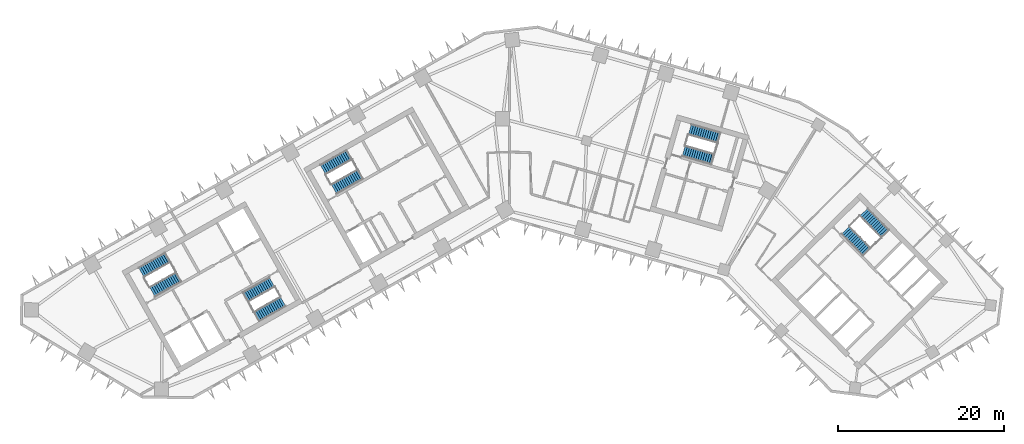
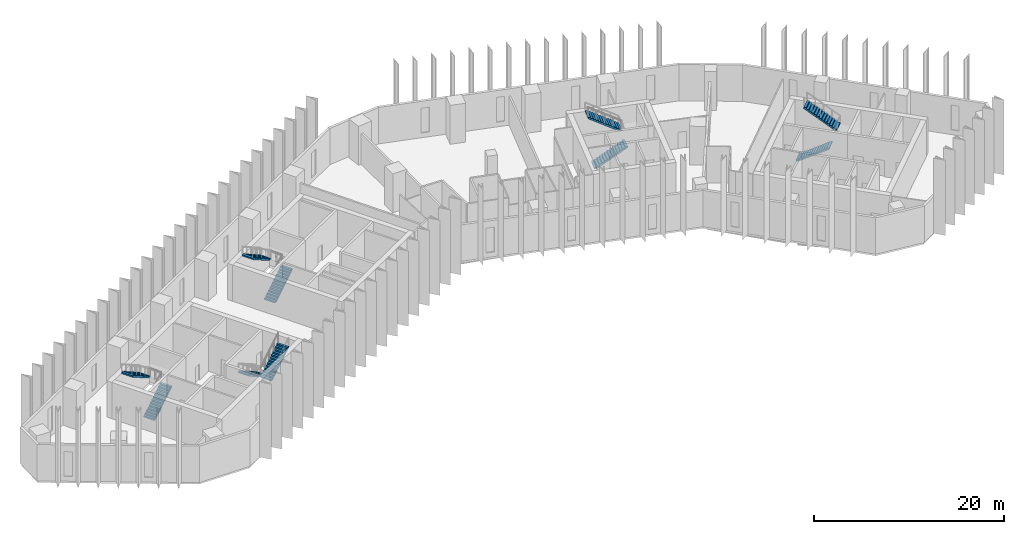
# One storey, part 8 of 11: 10 stair flights, 5 elements without a shape of their own.
"""IFC4 building model written with IfcOpenShell, lengths in metres."""

from ifc_helpers import new_model, si_unit, direction, frame, origin, place, context, subcontext, project, spatial, polyline, outline, extrude, material, type_object, element, aggregate, save


model = new_model("IFC4")

# Units and contexts
model_context = context("Model", 3, precision=1e-05, world=origin(), true_north=direction((0.0, 1.0)))
body_context = subcontext(model_context, "Body", "Model", "MODEL_VIEW")
ifc_project = project(units=[si_unit("LENGTHUNIT", "METRE"), si_unit("AREAUNIT", "SQUARE_METRE"), si_unit("VOLUMEUNIT", "CUBIC_METRE"), si_unit("PLANEANGLEUNIT", "RADIAN"), si_unit("MASSUNIT", "GRAM", prefix="KILO")], contexts=[model_context])

# Site, building, storey
site_placement = place(None, origin())
site = spatial("IfcSite", under=ifc_project, at=site_placement, CompositionType="ELEMENT")
building_placement = place(site_placement, origin())
building = spatial("IfcBuilding", under=site, at=building_placement, Name="Binnacle Exchange Tower", CompositionType="ELEMENT")
storey_placement = place(building_placement, frame((0.0, 0.0, 66.5)))
storey = spatial("IfcBuildingStorey", under=building, at=storey_placement, Name="L13", CompositionType="ELEMENT", Elevation=66.5)

# Stair, stair flights
ifc_material = material(Name="Concrete C35/45", Category="concrete")
stair_type = type_object("IfcStairType", Name="STAIR 28 RISERS 179", PredefinedType="HALF_TURN_STAIR", material=ifc_material)
stair_1_placement = place(storey_placement, origin())
stair_1 = element("IfcStair", 1, at=stair_1_placement, inside=storey, type_object=stair_type, Name="L13 Escape stair A1", PredefinedType="HALF_TURN_STAIR")
stair_flight_type = type_object("IfcStairFlightType", Name="STAIR FLIGHT 179X280", PredefinedType="STRAIGHT", material=ifc_material)
stair_flight_1_placement = place(storey_placement, frame((-42.9541015625, 39.17333984375, 0.0), z_axis=(0.0, 0.0, 1.0), x_axis=(0.870355584213, 0.492423757581, 0.0)))
stair_flight_1 = element("IfcStairFlight", 2, at=stair_flight_1_placement, type_object=stair_flight_type, Name="STA1 flight 1", NumberOfRisers=14, NumberOfTreads=13, PredefinedType="STRAIGHT", RiserHeight=0.178571429, TreadLength=0.28, context=body_context, shape_type="SweptSolid", body=[
    extrude(outline(polyline([(0.0, 0.0), (0.0, 0.178466796875), (0.280029296875, 0.178466796875), (0.280029296875, 0.357177734375), (0.56005859375, 0.357177734375), (0.56005859375, 0.53564453125), (0.840087890625, 0.53564453125), (0.840087890625, 0.71435546875), (1.1201171875, 0.71435546875), (1.1201171875, 0.892822265625), (1.39990234375, 0.892822265625), (1.39990234375, 1.071533203125), (1.679931640625, 1.071533203125), (1.679931640625, 1.25), (1.9599609375, 1.25), (1.9599609375, 1.428466796875), (2.239990234375, 1.428466796875), (2.239990234375, 1.607177734375), (2.52001953125, 1.607177734375), (2.52001953125, 1.78564453125), (2.800048828125, 1.78564453125), (2.800048828125, 1.96435546875), (3.080078125, 1.96435546875), (3.080078125, 2.142822265625), (3.360107421875, 2.142822265625), (3.360107421875, 2.321533203125), (3.639892578125, 2.321533203125), (3.639892578125, 2.5), (3.639892578125, 2.1435546875), (0.27880859375, 0.0), (0.0, 0.0)])), frame((0.0, 0.675048828125, 0.0), z_axis=(0.0, -1.0, 0.0), x_axis=(1.0, 0.0, 0.0)), (0.0, 0.0, 1.0), 1.35009765625),
])
stair_flight_2_placement = place(storey_placement, frame((-41.115478515625, 43.315673828125, 2.5), z_axis=(0.0, 0.0, 1.0), x_axis=(-0.870355584213, -0.492423757581, 0.0)))
stair_flight_2 = element("IfcStairFlight", 3, at=stair_flight_2_placement, type_object=stair_flight_type, Name="STA1 flight 2", NumberOfRisers=14, NumberOfTreads=13, PredefinedType="STRAIGHT", RiserHeight=0.178571429, TreadLength=0.28, context=body_context, shape_type="SweptSolid", body=[
    extrude(outline(polyline([(0.0, 0.0), (0.0, 0.178466796875), (0.280029296875, 0.178466796875), (0.280029296875, 0.357177734375), (0.56005859375, 0.357177734375), (0.56005859375, 0.53564453125), (0.840087890625, 0.53564453125), (0.840087890625, 0.71435546875), (1.1201171875, 0.71435546875), (1.1201171875, 0.892822265625), (1.39990234375, 0.892822265625), (1.39990234375, 1.071533203125), (1.679931640625, 1.071533203125), (1.679931640625, 1.25), (1.9599609375, 1.25), (1.9599609375, 1.428466796875), (2.239990234375, 1.428466796875), (2.239990234375, 1.607177734375), (2.52001953125, 1.607177734375), (2.52001953125, 1.78564453125), (2.800048828125, 1.78564453125), (2.800048828125, 1.96435546875), (3.080078125, 1.96435546875), (3.080078125, 2.142822265625), (3.360107421875, 2.142822265625), (3.360107421875, 2.321533203125), (3.639892578125, 2.321533203125), (3.639892578125, 2.5), (3.639892578125, 2.1435546875), (0.27880859375, 0.0), (0.0, 0.0)])), frame((0.0, 0.675048828125, 0.0), z_axis=(0.0, -1.0, 0.0), x_axis=(1.0, 0.0, 0.0)), (0.0, 0.0, 1.0), 1.35009765625),
])
aggregate(stair_1, [stair_flight_1, stair_flight_2])

stair_2_placement = place(storey_placement, origin())
stair_2 = element("IfcStair", 4, at=stair_2_placement, inside=storey, type_object=stair_type, Name="L13 Escape stair A2", PredefinedType="HALF_TURN_STAIR")
stair_flight_3_placement = place(storey_placement, frame((-28.5732421875, 40.3583984375, 0.0), z_axis=(0.0, 0.0, 1.0), x_axis=(-0.870355584213, -0.492423757581, 0.0)))
stair_flight_3 = element("IfcStairFlight", 5, at=stair_flight_3_placement, type_object=stair_flight_type, Name="STA2 flight 1", NumberOfRisers=14, NumberOfTreads=13, PredefinedType="STRAIGHT", RiserHeight=0.178571429, TreadLength=0.28, context=body_context, shape_type="SweptSolid", body=[
    extrude(outline(polyline([(0.0, 0.0), (0.0, 0.178466796875), (0.280029296875, 0.178466796875), (0.280029296875, 0.357177734375), (0.56005859375, 0.357177734375), (0.56005859375, 0.53564453125), (0.840087890625, 0.53564453125), (0.840087890625, 0.71435546875), (1.1201171875, 0.71435546875), (1.1201171875, 0.892822265625), (1.39990234375, 0.892822265625), (1.39990234375, 1.071533203125), (1.679931640625, 1.071533203125), (1.679931640625, 1.25), (1.9599609375, 1.25), (1.9599609375, 1.428466796875), (2.239990234375, 1.428466796875), (2.239990234375, 1.607177734375), (2.52001953125, 1.607177734375), (2.52001953125, 1.78564453125), (2.800048828125, 1.78564453125), (2.800048828125, 1.96435546875), (3.080078125, 1.96435546875), (3.080078125, 2.142822265625), (3.360107421875, 2.142822265625), (3.360107421875, 2.321533203125), (3.639892578125, 2.321533203125), (3.639892578125, 2.5), (3.639892578125, 2.1435546875), (0.27880859375, 0.0), (0.0, 0.0)])), frame((0.0, 0.675048828125, 0.0), z_axis=(0.0, -1.0, 0.0), x_axis=(1.0, 0.0, 0.0)), (0.0, 0.0, 1.0), 1.35009765625),
])
stair_flight_4_placement = place(storey_placement, frame((-30.411865234375, 36.216064453125, 2.5), z_axis=(0.0, 0.0, 1.0), x_axis=(0.870355584213, 0.492423757581, 0.0)))
stair_flight_4 = element("IfcStairFlight", 6, at=stair_flight_4_placement, type_object=stair_flight_type, Name="STA2 flight 2", NumberOfRisers=14, NumberOfTreads=13, PredefinedType="STRAIGHT", RiserHeight=0.178571429, TreadLength=0.28, context=body_context, shape_type="SweptSolid", body=[
    extrude(outline(polyline([(0.0, 0.0), (0.0, 0.178466796875), (0.280029296875, 0.178466796875), (0.280029296875, 0.357177734375), (0.56005859375, 0.357177734375), (0.56005859375, 0.53564453125), (0.840087890625, 0.53564453125), (0.840087890625, 0.71435546875), (1.1201171875, 0.71435546875), (1.1201171875, 0.892822265625), (1.39990234375, 0.892822265625), (1.39990234375, 1.071533203125), (1.679931640625, 1.071533203125), (1.679931640625, 1.25), (1.9599609375, 1.25), (1.9599609375, 1.428466796875), (2.239990234375, 1.428466796875), (2.239990234375, 1.607177734375), (2.52001953125, 1.607177734375), (2.52001953125, 1.78564453125), (2.800048828125, 1.78564453125), (2.800048828125, 1.96435546875), (3.080078125, 1.96435546875), (3.080078125, 2.142822265625), (3.360107421875, 2.142822265625), (3.360107421875, 2.321533203125), (3.639892578125, 2.321533203125), (3.639892578125, 2.5), (3.639892578125, 2.1435546875), (0.27880859375, 0.0), (0.0, 0.0)])), frame((0.0, 0.675048828125, 0.0), z_axis=(0.0, -1.0, 0.0), x_axis=(1.0, 0.0, 0.0)), (0.0, 0.0, 1.0), 1.35009765625),
])
aggregate(stair_2, [stair_flight_3, stair_flight_4])

stair_3_placement = place(storey_placement, origin())
stair_3 = element("IfcStair", 7, at=stair_3_placement, inside=storey, type_object=stair_type, Name="L13 Escape stair B1", PredefinedType="HALF_TURN_STAIR")
stair_flight_5_placement = place(storey_placement, frame((40.376708984375, 46.608642578125, 0.0), z_axis=(0.0, 0.0, 1.0), x_axis=(0.70090935144, -0.713250363522, 0.0)))
stair_flight_5 = element("IfcStairFlight", 8, at=stair_flight_5_placement, type_object=stair_flight_type, Name="STB1 flight 1", NumberOfRisers=14, NumberOfTreads=13, PredefinedType="STRAIGHT", RiserHeight=0.178571429, TreadLength=0.28, context=body_context, shape_type="SweptSolid", body=[
    extrude(outline(polyline([(0.0, 0.0), (0.0, 0.178466796875), (0.280029296875, 0.178466796875), (0.280029296875, 0.357177734375), (0.56005859375, 0.357177734375), (0.56005859375, 0.53564453125), (0.840087890625, 0.53564453125), (0.840087890625, 0.71435546875), (1.1201171875, 0.71435546875), (1.1201171875, 0.892822265625), (1.39990234375, 0.892822265625), (1.39990234375, 1.071533203125), (1.679931640625, 1.071533203125), (1.679931640625, 1.25), (1.9599609375, 1.25), (1.9599609375, 1.428466796875), (2.239990234375, 1.428466796875), (2.239990234375, 1.607177734375), (2.52001953125, 1.607177734375), (2.52001953125, 1.78564453125), (2.800048828125, 1.78564453125), (2.800048828125, 1.96435546875), (3.080078125, 1.96435546875), (3.080078125, 2.142822265625), (3.360107421875, 2.142822265625), (3.360107421875, 2.321533203125), (3.639892578125, 2.321533203125), (3.639892578125, 2.5), (3.639892578125, 2.1435546875), (0.27880859375, 0.0), (0.0, 0.0)])), frame((0.0, 0.675048828125, 0.0), z_axis=(0.0, -1.0, 0.0), x_axis=(1.0, 0.0, 0.0)), (0.0, 0.0, 1.0), 1.35009765625),
])
stair_flight_6_placement = place(storey_placement, frame((45.13916015625, 46.185302734375, 2.5), z_axis=(0.0, 0.0, 1.0), x_axis=(-0.70090935144, 0.713250363522, 0.0)))
stair_flight_6 = element("IfcStairFlight", 9, at=stair_flight_6_placement, type_object=stair_flight_type, Name="STB1 flight 2", NumberOfRisers=14, NumberOfTreads=13, PredefinedType="STRAIGHT", RiserHeight=0.178571429, TreadLength=0.28, context=body_context, shape_type="SweptSolid", body=[
    extrude(outline(polyline([(0.0, 0.0), (0.0, 0.178466796875), (0.280029296875, 0.178466796875), (0.280029296875, 0.357177734375), (0.56005859375, 0.357177734375), (0.56005859375, 0.53564453125), (0.840087890625, 0.53564453125), (0.840087890625, 0.71435546875), (1.1201171875, 0.71435546875), (1.1201171875, 0.892822265625), (1.39990234375, 0.892822265625), (1.39990234375, 1.071533203125), (1.679931640625, 1.071533203125), (1.679931640625, 1.25), (1.9599609375, 1.25), (1.9599609375, 1.428466796875), (2.239990234375, 1.428466796875), (2.239990234375, 1.607177734375), (2.52001953125, 1.607177734375), (2.52001953125, 1.78564453125), (2.800048828125, 1.78564453125), (2.800048828125, 1.96435546875), (3.080078125, 1.96435546875), (3.080078125, 2.142822265625), (3.360107421875, 2.142822265625), (3.360107421875, 2.321533203125), (3.639892578125, 2.321533203125), (3.639892578125, 2.5), (3.639892578125, 2.1435546875), (0.27880859375, 0.0), (0.0, 0.0)])), frame((0.0, 0.675048828125, 0.0), z_axis=(0.0, -1.0, 0.0), x_axis=(1.0, 0.0, 0.0)), (0.0, 0.0, 1.0), 1.35009765625),
])
aggregate(stair_3, [stair_flight_5, stair_flight_6])

stair_4_placement = place(storey_placement, origin())
stair_4 = element("IfcStair", 10, at=stair_4_placement, inside=storey, type_object=stair_type, Name="L13 Escape stair C1", PredefinedType="HALF_TURN_STAIR")
stair_flight_7_placement = place(storey_placement, frame((-21.115966796875, 51.528564453125, 0.0), z_axis=(0.0, 0.0, 1.0), x_axis=(0.870355584213, 0.492423757581, 0.0)))
stair_flight_7 = element("IfcStairFlight", 11, at=stair_flight_7_placement, type_object=stair_flight_type, Name="STC1 flight 1", NumberOfRisers=14, NumberOfTreads=13, PredefinedType="STRAIGHT", RiserHeight=0.178571429, TreadLength=0.28, context=body_context, shape_type="SweptSolid", body=[
    extrude(outline(polyline([(0.0, 0.0), (0.0, 0.178466796875), (0.280029296875, 0.178466796875), (0.280029296875, 0.357177734375), (0.56005859375, 0.357177734375), (0.56005859375, 0.53564453125), (0.840087890625, 0.53564453125), (0.840087890625, 0.71435546875), (1.1201171875, 0.71435546875), (1.1201171875, 0.892822265625), (1.39990234375, 0.892822265625), (1.39990234375, 1.071533203125), (1.679931640625, 1.071533203125), (1.679931640625, 1.25), (1.9599609375, 1.25), (1.9599609375, 1.428466796875), (2.239990234375, 1.428466796875), (2.239990234375, 1.607177734375), (2.52001953125, 1.607177734375), (2.52001953125, 1.78564453125), (2.800048828125, 1.78564453125), (2.800048828125, 1.96435546875), (3.080078125, 1.96435546875), (3.080078125, 2.142822265625), (3.360107421875, 2.142822265625), (3.360107421875, 2.321533203125), (3.639892578125, 2.321533203125), (3.639892578125, 2.5), (3.639892578125, 2.1435546875), (0.27880859375, 0.0), (0.0, 0.0)])), frame((0.0, 0.675048828125, 0.0), z_axis=(0.0, -1.0, 0.0), x_axis=(1.0, 0.0, 0.0)), (0.0, 0.0, 1.0), 1.35009765625),
])
stair_flight_8_placement = place(storey_placement, frame((-19.27734375, 55.671142578125, 2.5), z_axis=(0.0, 0.0, 1.0), x_axis=(-0.870355584213, -0.492423757581, 0.0)))
stair_flight_8 = element("IfcStairFlight", 12, at=stair_flight_8_placement, type_object=stair_flight_type, Name="STC1 flight 2", NumberOfRisers=14, NumberOfTreads=13, PredefinedType="STRAIGHT", RiserHeight=0.178571429, TreadLength=0.28, context=body_context, shape_type="SweptSolid", body=[
    extrude(outline(polyline([(0.0, 0.0), (0.0, 0.178466796875), (0.280029296875, 0.178466796875), (0.280029296875, 0.357177734375), (0.56005859375, 0.357177734375), (0.56005859375, 0.53564453125), (0.840087890625, 0.53564453125), (0.840087890625, 0.71435546875), (1.1201171875, 0.71435546875), (1.1201171875, 0.892822265625), (1.39990234375, 0.892822265625), (1.39990234375, 1.071533203125), (1.679931640625, 1.071533203125), (1.679931640625, 1.25), (1.9599609375, 1.25), (1.9599609375, 1.428466796875), (2.239990234375, 1.428466796875), (2.239990234375, 1.607177734375), (2.52001953125, 1.607177734375), (2.52001953125, 1.78564453125), (2.800048828125, 1.78564453125), (2.800048828125, 1.96435546875), (3.080078125, 1.96435546875), (3.080078125, 2.142822265625), (3.360107421875, 2.142822265625), (3.360107421875, 2.321533203125), (3.639892578125, 2.321533203125), (3.639892578125, 2.5), (3.639892578125, 2.1435546875), (0.27880859375, 0.0), (0.0, 0.0)])), frame((0.0, 0.675048828125, 0.0), z_axis=(0.0, -1.0, 0.0), x_axis=(1.0, 0.0, 0.0)), (0.0, 0.0, 1.0), 1.35009765625),
])
aggregate(stair_4, [stair_flight_7, stair_flight_8])

stair_5_placement = place(storey_placement, origin())
stair_5 = element("IfcStair", 13, at=stair_5_placement, inside=storey, type_object=stair_type, Name="L13 Escape stair D1", PredefinedType="HALF_TURN_STAIR")
stair_flight_9_placement = place(storey_placement, frame((20.914306640625, 56.109619140625, 0.0), z_axis=(0.0, 0.0, 1.0), x_axis=(0.961261811397, -0.275636953165, 0.0)))
stair_flight_9 = element("IfcStairFlight", 14, at=stair_flight_9_placement, type_object=stair_flight_type, Name="STD1 flight 1", NumberOfRisers=14, NumberOfTreads=13, PredefinedType="STRAIGHT", RiserHeight=0.178571429, TreadLength=0.28, context=body_context, shape_type="SweptSolid", body=[
    extrude(outline(polyline([(0.0, 0.0), (0.0, 0.178466796875), (0.280029296875, 0.178466796875), (0.280029296875, 0.357177734375), (0.56005859375, 0.357177734375), (0.56005859375, 0.53564453125), (0.840087890625, 0.53564453125), (0.840087890625, 0.71435546875), (1.1201171875, 0.71435546875), (1.1201171875, 0.892822265625), (1.39990234375, 0.892822265625), (1.39990234375, 1.071533203125), (1.679931640625, 1.071533203125), (1.679931640625, 1.25), (1.9599609375, 1.25), (1.9599609375, 1.428466796875), (2.239990234375, 1.428466796875), (2.239990234375, 1.607177734375), (2.52001953125, 1.607177734375), (2.52001953125, 1.78564453125), (2.800048828125, 1.78564453125), (2.800048828125, 1.96435546875), (3.080078125, 1.96435546875), (3.080078125, 2.142822265625), (3.360107421875, 2.142822265625), (3.360107421875, 2.321533203125), (3.639892578125, 2.321533203125), (3.639892578125, 2.5), (3.639892578125, 2.1435546875), (0.27880859375, 0.0), (0.0, 0.0)])), frame((0.0, 0.675048828125, 0.0), z_axis=(0.0, -1.0, 0.0), x_axis=(1.0, 0.0, 0.0)), (0.0, 0.0, 1.0), 1.35009765625),
])
stair_flight_10_placement = place(storey_placement, frame((25.157470703125, 57.70166015625, 2.5), z_axis=(0.0, 0.0, 1.0), x_axis=(-0.961261811397, 0.275636953165, 0.0)))
stair_flight_10 = element("IfcStairFlight", 15, at=stair_flight_10_placement, type_object=stair_flight_type, Name="STD1 flight 2", NumberOfRisers=14, NumberOfTreads=13, PredefinedType="STRAIGHT", RiserHeight=0.178571429, TreadLength=0.28, context=body_context, shape_type="SweptSolid", body=[
    extrude(outline(polyline([(0.0, 0.0), (0.0, 0.178466796875), (0.280029296875, 0.178466796875), (0.280029296875, 0.357177734375), (0.56005859375, 0.357177734375), (0.56005859375, 0.53564453125), (0.840087890625, 0.53564453125), (0.840087890625, 0.71435546875), (1.1201171875, 0.71435546875), (1.1201171875, 0.892822265625), (1.39990234375, 0.892822265625), (1.39990234375, 1.071533203125), (1.679931640625, 1.071533203125), (1.679931640625, 1.25), (1.9599609375, 1.25), (1.9599609375, 1.428466796875), (2.239990234375, 1.428466796875), (2.239990234375, 1.607177734375), (2.52001953125, 1.607177734375), (2.52001953125, 1.78564453125), (2.800048828125, 1.78564453125), (2.800048828125, 1.96435546875), (3.080078125, 1.96435546875), (3.080078125, 2.142822265625), (3.360107421875, 2.142822265625), (3.360107421875, 2.321533203125), (3.639892578125, 2.321533203125), (3.639892578125, 2.5), (3.639892578125, 2.1435546875), (0.27880859375, 0.0), (0.0, 0.0)])), frame((0.0, 0.675048828125, 0.0), z_axis=(0.0, -1.0, 0.0), x_axis=(1.0, 0.0, 0.0)), (0.0, 0.0, 1.0), 1.35009765625),
])
aggregate(stair_5, [stair_flight_9, stair_flight_10])

save(model, "model.ifc")
